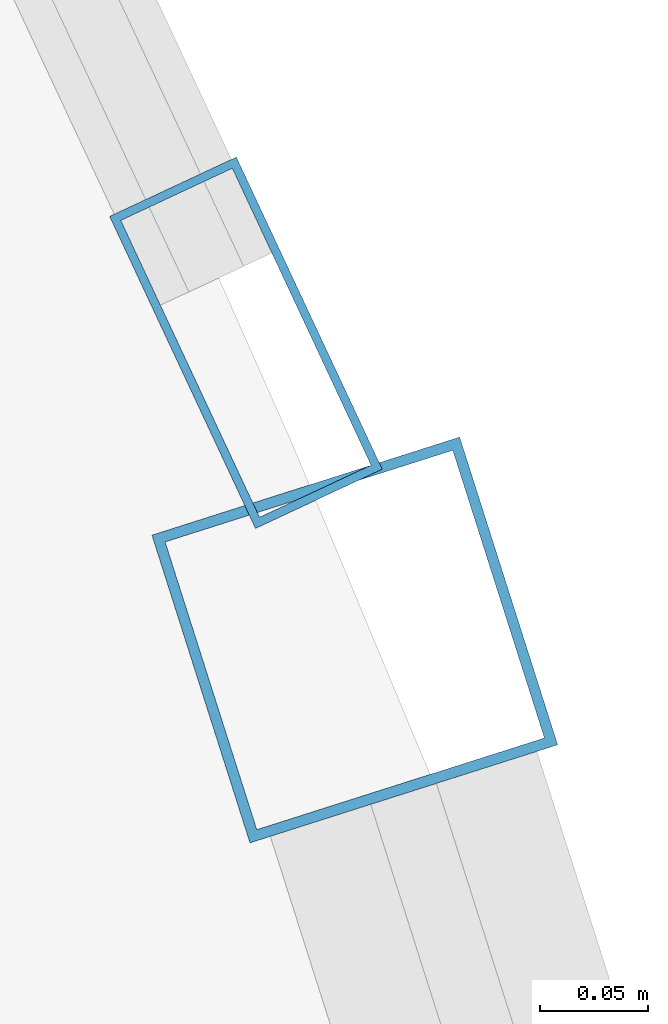
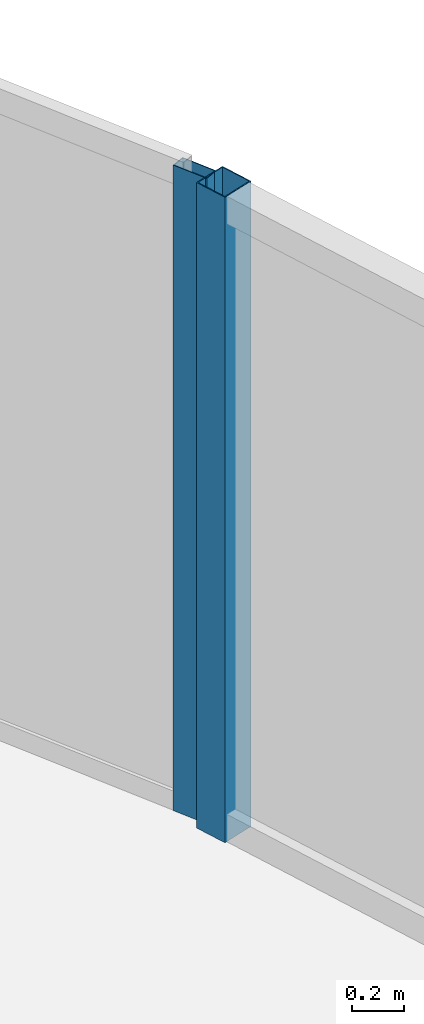
# One storey, part 16 of 29: 2 members, 2 elements without a shape of their own.
"""IFC4 building model written with IfcOpenShell, lengths in metres."""

from ifc_helpers import new_model, si_unit, direction, frame, origin, origin_2d, place, context, subcontext, project, spatial, hollow_rectangle, extrude, material, layer, layer_set, material_profile, profile_set, type_object, element, aggregate, save


model = new_model("IFC4")

# Units and contexts
model_context = context("Model", 3, precision=1e-05, world=origin(), true_north=direction((0.0, 1.0)))
body_context = subcontext(model_context, "Body", "Model", "MODEL_VIEW")
ifc_project = project(units=[si_unit("LENGTHUNIT", "METRE"), si_unit("AREAUNIT", "SQUARE_METRE"), si_unit("VOLUMEUNIT", "CUBIC_METRE"), si_unit("PLANEANGLEUNIT", "RADIAN"), si_unit("MASSUNIT", "GRAM", prefix="KILO")], contexts=[model_context])

# Site, building, storey
site_placement = place(None, origin())
site = spatial("IfcSite", under=ifc_project, at=site_placement, CompositionType="ELEMENT")
building_placement = place(site_placement, origin())
building = spatial("IfcBuilding", under=site, at=building_placement, Name="Orvanel Arch Residences", CompositionType="ELEMENT")
storey_placement = place(building_placement, frame((0.0, 0.0, 243.64990234375)))
storey = spatial("IfcBuildingStorey", under=building, at=storey_placement, Name="L69", CompositionType="ELEMENT", Elevation=243.64990234375)

# Curtain wall, member
ifc_material = material(Name="Bronze-anodised aluminium AA6063-T6", Category="aluminium")
ifc_layer_1 = layer(ifc_material, 0.18994140625)
ifc_layer_set_1 = layer_set([ifc_layer_1], Name="Bronze-anodised aluminium AA6063-T6")
curtain_wall_type_1 = type_object("IfcCurtainWallType", Name="CW5-CRN-SYS", PredefinedType="NOTDEFINED", material=ifc_layer_set_1)
curtain_wall_1_placement = place(storey_placement, origin())
curtain_wall_1 = element("IfcCurtainWall", 1, at=curtain_wall_1_placement, inside=storey, type_object=curtain_wall_type_1, Name="L69 CW5-CRN-SYS Unitised Curtain Wall", PredefinedType="NOTDEFINED")
ifc_material_profile_1 = material_profile(ifc_material, hollow_rectangle(XDim=0.14990234375, YDim=0.14990234375, WallThickness=0.0048828125, at=origin_2d()), Name="ALU150x150x5")
ifc_profile_set_1 = profile_set([ifc_material_profile_1], Name="Bronze-anodised aluminium AA6063-T6")
member_type_1 = type_object("IfcMemberType", Name="MUL-150x150", PredefinedType="MULLION", material=ifc_profile_set_1)
member_1_placement = place(storey_placement, frame((53.4228515625, 15.33251953125, 0.0), z_axis=(0.0, 0.0, 1.0), x_axis=(-0.952801726678, -0.303593263494, 0.0)))
member_1 = element("IfcMember", 2, at=member_1_placement, type_object=member_type_1, Name="CW-S5 mullion 2", PredefinedType="MULLION", context=body_context, shape_type="SweptSolid", body=[
    extrude(hollow_rectangle(XDim=0.14990234375, YDim=0.14990234375, WallThickness=0.0048828125, at=origin_2d()), origin(), (0.0, 0.0, 1.0), 3.06005859375),
])
aggregate(curtain_wall_1, [member_1])

ifc_layer_2 = layer(ifc_material, 0.175048828125)
ifc_layer_set_2 = layer_set([ifc_layer_2], Name="Bronze-anodised aluminium AA6063-T6")
curtain_wall_type_2 = type_object("IfcCurtainWallType", Name="CW4-HI-SYS", PredefinedType="NOTDEFINED", material=ifc_layer_set_2)
curtain_wall_2_placement = place(storey_placement, origin())
curtain_wall_2 = element("IfcCurtainWall", 3, at=curtain_wall_2_placement, inside=storey, type_object=curtain_wall_type_2, Name="L69 CW4-HI-SYS Unitised Curtain Wall", PredefinedType="NOTDEFINED")
ifc_material_profile_2 = material_profile(ifc_material, hollow_rectangle(XDim=0.06494140625, YDim=0.159912109375, WallThickness=0.00390625, at=origin_2d()), Name="ALU160x65x4")
ifc_profile_set_2 = profile_set([ifc_material_profile_2], Name="Bronze-anodised aluminium AA6063-T6")
member_type_2 = type_object("IfcMemberType", Name="MUL-160x65", PredefinedType="MULLION", material=ifc_profile_set_2)
member_2_placement = place(storey_placement, frame((53.372314453125, 15.470458984375, 0.0), z_axis=(0.0, 0.0, 1.0), x_axis=(-0.9059146694, -0.423460283576, 0.0)))
member_2 = element("IfcMember", 4, at=member_2_placement, type_object=member_type_2, Name="CW-S4 mullion 1", PredefinedType="MULLION", context=body_context, shape_type="SweptSolid", body=[
    extrude(hollow_rectangle(XDim=0.06494140625, YDim=0.159912109375, WallThickness=0.00390625, at=origin_2d()), origin(), (0.0, 0.0, 1.0), 3.06005859375),
])
aggregate(curtain_wall_2, [member_2])

save(model, "model.ifc")
